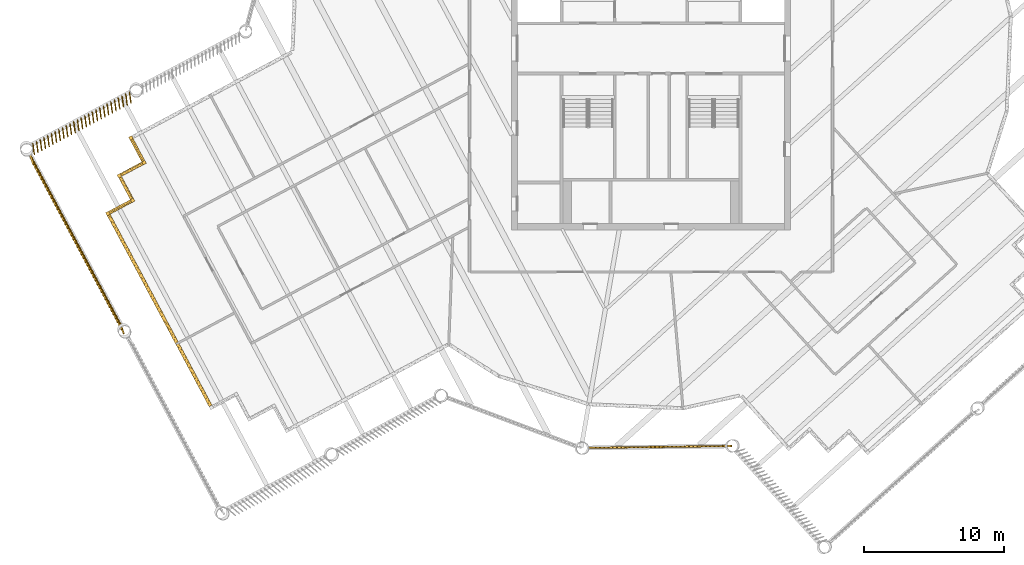
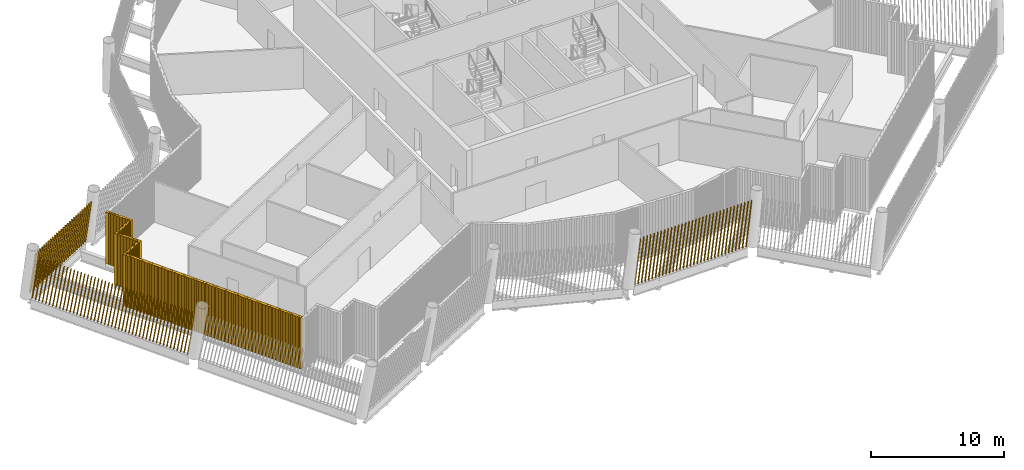
# One storey, part 10 of 21: 13 shading devices.
"""IFC4 building model written with IfcOpenShell, lengths in metres."""

import ifcopenshell
import ifcopenshell.guid

model = None  # the IFC model being written
_history = None  # IfcOwnerHistory: only IFC2X3 demands one
_inside = {}  # id of a spatial element -> (the spatial element, [elements in it])
_under = {}  # id of a project, library or spatial element -> (it, [spatial elements below it])
_declared = {}  # id of a project -> (the project, [libraries it declares])
_typed = {}  # id of a type object -> (the type object, [elements of that type])
_made_of = {}  # id of a material, layer set ... -> (it, [elements and type objects made of it])


def new_model(schema):
    """Start an empty IFC model of exactly this schema.

    Asked for "IFC4X3", IfcOpenShell would pick the latest addendum, in which some entities
    have other attributes; the version numbers below select the first issue.
    IFC2X3 requires an IfcOwnerHistory on every rooted entity: one is made here for all.
    """
    global model, _history
    if schema == "IFC4X3":
        model = ifcopenshell.file(schema_version=(4, 3, 0, 0))
    else:
        model = ifcopenshell.file(schema=schema)
    _inside.clear()
    _under.clear()
    _declared.clear()
    _typed.clear()
    _made_of.clear()
    _history = None
    if model.schema == "IFC2X3":
        org = make("IfcOrganization", Name="unknown")
        user = make(
            "IfcPersonAndOrganization",
            ThePerson=make("IfcPerson", FamilyName="unknown"),
            TheOrganization=org,
        )
        app = make(
            "IfcApplication",
            ApplicationDeveloper=org,
            Version="unknown",
            ApplicationFullName="unknown",
            ApplicationIdentifier="unknown",
        )
        _history = make(
            "IfcOwnerHistory",
            OwningUser=user,
            OwningApplication=app,
            ChangeAction="ADDED",
            CreationDate=0,
        )
    return model


def make(cls, **values):
    """One entity of the class cls with the attributes given. An attribute that is None is left unset."""
    return model.create_entity(
        cls, **{name: value for name, value in values.items() if value is not None}
    )


def rooted(cls, **values):
    """An entity with a GlobalId (a new one), such as an element, a storey or a relation."""
    return make(cls, GlobalId=ifcopenshell.guid.new(), OwnerHistory=_history, **values)


def si_unit(unit_type, name, prefix=None):
    """IfcSIUnit, for example si_unit("LENGTHUNIT", "METRE", prefix="MILLI")."""
    return make("IfcSIUnit", UnitType=unit_type, Prefix=prefix, Name=name)


def assignment(units):
    """IfcUnitAssignment: the units of a project."""
    return None if units is None else make("IfcUnitAssignment", Units=units)


def point(xyz):
    """IfcCartesianPoint."""
    return None if xyz is None else make("IfcCartesianPoint", Coordinates=xyz)


def direction(xyz):
    """IfcDirection."""
    return None if xyz is None else make("IfcDirection", DirectionRatios=xyz)


def frame(location, z_axis=None, x_axis=None):
    """IfcAxis2Placement3D, a coordinate frame: its origin and axes. An axis left out is left unset."""
    return make(
        "IfcAxis2Placement3D",
        Location=point(location),
        Axis=direction(z_axis),
        RefDirection=direction(x_axis),
    )


def frame_2d(location, x_axis=None):
    """IfcAxis2Placement2D, a coordinate frame in the plane: its origin and x axis."""
    return make(
        "IfcAxis2Placement2D", Location=point(location), RefDirection=direction(x_axis)
    )


def origin():
    """The frame at (0, 0, 0) with its axes left unset."""
    return frame((0.0, 0.0, 0.0))


def origin_2d():
    """The frame at (0, 0) in the plane with its x axis left unset."""
    return frame_2d((0.0, 0.0))


def place(relative_to, where):
    """IfcLocalPlacement: puts the frame where relative to a parent placement (None: the world)."""
    return make(
        "IfcLocalPlacement", PlacementRelTo=relative_to, RelativePlacement=where
    )


def context(
    kind, dimensions, precision=None, world=None, true_north=None, identifier=None
):
    """IfcGeometricRepresentationContext, for example the 3D "Model" context."""
    return make(
        "IfcGeometricRepresentationContext",
        ContextIdentifier=identifier,
        ContextType=kind,
        CoordinateSpaceDimension=dimensions,
        Precision=precision,
        WorldCoordinateSystem=world,
        TrueNorth=true_north,
    )


def subcontext(parent, identifier, kind, view, scale=None):
    """IfcGeometricRepresentationSubContext, for example "Body" below "Model"."""
    return make(
        "IfcGeometricRepresentationSubContext",
        ContextIdentifier=identifier,
        ContextType=kind,
        ParentContext=parent,
        TargetScale=scale,
        TargetView=view,
    )


def project(units=None, contexts=None):
    """IfcProject with its units and contexts."""
    return rooted(
        "IfcProject",
        Name="project",
        RepresentationContexts=contexts,
        UnitsInContext=assignment(units),
    )


def spatial(cls, under=None, at=None, **own):
    """A site, building, storey or space (cls), placed at a placement, below another one or the project."""
    s = rooted(cls, ObjectPlacement=at, **own)
    if under is not None:
        _under.setdefault(under.id(), (under, []))[1].append(s)
    return s


def profile(cls, at=None, kind="AREA", **sizes):
    """A parametric profile (cls). Its sizes go by their IFC names, for example OverallWidth=200.0."""
    return make(cls, ProfileType=kind, Position=at, **sizes)


def rectangle(**sizes):
    """IfcRectangleProfileDef."""
    return profile("IfcRectangleProfileDef", **sizes)


def composite_profile(profiles, kind="AREA"):
    """IfcCompositeProfileDef: several profiles as one."""
    return make("IfcCompositeProfileDef", ProfileType=kind, Profiles=profiles)


def extrude(swept, where, along, depth):
    """IfcExtrudedAreaSolid: the profile swept, set in the frame where, extruded along a direction by depth."""
    return make(
        "IfcExtrudedAreaSolid",
        SweptArea=swept,
        Position=where,
        ExtrudedDirection=direction(along),
        Depth=depth,
    )


def shape(context_of_items, identifier, shape_type, items):
    """IfcShapeRepresentation: the items that make up one representation, for example the "Body"."""
    return make(
        "IfcShapeRepresentation",
        ContextOfItems=context_of_items,
        RepresentationIdentifier=identifier,
        RepresentationType=shape_type,
        Items=items,
    )


def material(Name=None, Category=None):
    """IfcMaterial."""
    return make("IfcMaterial", Name=Name, Category=Category)


def made_of(thing, what):
    """Note that an element or type object is made of a material, layer set ...; save() writes the relation."""
    if what is not None:
        _made_of.setdefault(what.id(), (what, []))[1].append(thing)
    return thing


def type_object(cls, material=None, **own):
    """A type object (cls), such as IfcWallType, which elements share."""
    return made_of(rooted(cls, **own), material)


def element(
    cls,
    number,
    at=None,
    inside=None,
    cuts=None,
    type_object=None,
    material=None,
    context=None,
    identifier="Body",
    shape_type=None,
    held_by="IfcProductDefinitionShape",
    body=None,
    shapes=None,
    **own,
):
    """One element of the class cls, such as IfcWall. Its Tag is "e" and its number.

    at: its placement. inside: the storey or other place that contains it. cuts: it is an
    opening in that element (IfcRelVoidsElement). A single representation is given by context,
    identifier, shape_type and body (its items); several are given by shapes. held_by: the class
    of the entity that holds the representations. save() writes the other relations.
    """
    e = rooted(cls, Tag="e%d" % number, ObjectPlacement=at, **own)
    if body is not None:
        shapes = [shape(context, identifier, shape_type, body)]
    if shapes is not None:
        e.Representation = make(held_by, Representations=shapes)
    if inside is not None:
        _inside.setdefault(inside.id(), (inside, []))[1].append(e)
    if cuts is not None:
        rooted(
            "IfcRelVoidsElement", RelatingBuildingElement=cuts, RelatedOpeningElement=e
        )
    if type_object is not None:
        _typed.setdefault(type_object.id(), (type_object, []))[1].append(e)
    return made_of(e, material)


def aggregate(whole, parts):
    """IfcRelAggregates: a whole, such as a stair, and the parts it consists of."""
    return rooted("IfcRelAggregates", RelatingObject=whole, RelatedObjects=parts)


def save(model, path):
    """Write the relations noted so far, then the file.

    IfcRelAggregates (storeys below a building ...), IfcRelContainedInSpatialStructure (elements
    in a storey), IfcRelDefinesByType, IfcRelAssociatesMaterial and IfcRelDeclares: one each for
    every whole, place, type object, material and project.
    """
    for whole, parts in _under.values():
        aggregate(whole, parts)
    for where, things in _inside.values():
        rooted(
            "IfcRelContainedInSpatialStructure",
            RelatedElements=things,
            RelatingStructure=where,
        )
    for kind, things in _typed.values():
        rooted("IfcRelDefinesByType", RelatedObjects=things, RelatingType=kind)
    for what, things in _made_of.values():
        rooted("IfcRelAssociatesMaterial", RelatedObjects=things, RelatingMaterial=what)
    for by, libraries in _declared.values():
        rooted("IfcRelDeclares", RelatingContext=by, RelatedDefinitions=libraries)
    model.write(path)


model = new_model("IFC4")

# Units and contexts
model_context = context("Model", 3, precision=1e-05, world=origin(), true_north=direction((0.0, 1.0)))
body_context = subcontext(model_context, "Body", "Model", "MODEL_VIEW")
ifc_project = project(units=[si_unit("LENGTHUNIT", "METRE"), si_unit("AREAUNIT", "SQUARE_METRE"), si_unit("VOLUMEUNIT", "CUBIC_METRE"), si_unit("PLANEANGLEUNIT", "RADIAN"), si_unit("MASSUNIT", "GRAM", prefix="KILO")], contexts=[model_context])

# Site, building, storey
site_placement = place(None, origin())
site = spatial("IfcSite", under=ifc_project, at=site_placement, CompositionType="ELEMENT")
building_placement = place(site_placement, origin())
building = spatial("IfcBuilding", under=site, at=building_placement, Name="Tarsis Ring Headquarters", CompositionType="ELEMENT")
storey_placement = place(building_placement, frame((0.0, 0.0, 398.60009765625)))
storey = spatial("IfcBuildingStorey", under=building, at=storey_placement, Name="L94", CompositionType="ELEMENT", Elevation=398.60009765625)

# Shading devices
ifc_material_1 = material(Name="Aluminium louvre", Category="aluminium")
shading_device_type_1 = type_object("IfcShadingDeviceType", Name="Plant louvre fin", PredefinedType="USERDEFINED", material=ifc_material_1)
for number, where, z_axis, x_axis, name in (
    (1, (-37.182861328125, -6.51953125, 0.0), (0.0, 0.0, 1.0), (0.470703125, -0.882254464286, 0.0), "Louvre L94-32"),
    (2, (-36.41064453125, -8.232666015625, 0.0), (0.0, 0.0, 1.0), (-0.882254464286, -0.470703125, 0.0), "Louvre L94-33"),
    (3, (-38.006103515625, -9.2255859375, 0.0), (0.0, 0.0, 1.0), (0.470703125, -0.882254464286, 0.0), "Louvre L94-34"),
    (4, (-37.23388671875, -10.938720703125, 0.0), (0.0, 0.0, 1.0), (-0.882254464286, -0.470703125, 0.0), "Louvre L94-35"),
):
    element("IfcShadingDevice", number, at=place(storey_placement, frame(where, z_axis=z_axis, x_axis=x_axis)), inside=storey, type_object=shading_device_type_1, Name=name, ObjectType="Louvre", PredefinedType="USERDEFINED", context=body_context, shape_type="SweptSolid", body=[
        extrude(composite_profile([rectangle(XDim=0.1201171875, YDim=0.239990234375, at=frame_2d((0.078125, 0.0), x_axis=(0.987688340595, 0.15643446504))), rectangle(XDim=0.1201171875, YDim=0.239990234375, at=frame_2d((0.2109375, 0.0), x_axis=(0.987688340595, 0.15643446504))), rectangle(XDim=0.1201171875, YDim=0.239990234375, at=frame_2d((0.34375, 0.0), x_axis=(0.987688340595, 0.15643446504))), rectangle(XDim=0.1201171875, YDim=0.239990234375, at=frame_2d((0.4765625, 0.0), x_axis=(0.987688340595, 0.15643446504))), rectangle(XDim=0.1201171875, YDim=0.239990234375, at=frame_2d((0.609375, 0.0), x_axis=(0.987688340595, 0.15643446504))), rectangle(XDim=0.1201171875, YDim=0.239990234375, at=frame_2d((0.7421875, 0.0), x_axis=(0.987688340595, 0.15643446504))), rectangle(XDim=0.1201171875, YDim=0.239990234375, at=frame_2d((0.875, 0.0), x_axis=(0.987688340595, 0.15643446504))), rectangle(XDim=0.1201171875, YDim=0.239990234375, at=frame_2d((1.0078125, 0.0), x_axis=(0.987688340595, 0.15643446504))), rectangle(XDim=0.1201171875, YDim=0.239990234375, at=frame_2d((1.140625, 0.0), x_axis=(0.987688340595, 0.15643446504))), rectangle(XDim=0.1201171875, YDim=0.239990234375, at=frame_2d((1.2734375, 0.0), x_axis=(0.987688340595, 0.15643446504))), rectangle(XDim=0.1201171875, YDim=0.239990234375, at=frame_2d((1.40625, 0.0), x_axis=(0.987688340595, 0.15643446504))), rectangle(XDim=0.1201171875, YDim=0.239990234375, at=frame_2d((1.5390625, 0.0), x_axis=(0.987688340595, 0.15643446504))), rectangle(XDim=0.1201171875, YDim=0.239990234375, at=frame_2d((1.671875, 0.0), x_axis=(0.987688340595, 0.15643446504)))]), origin(), (0.0, 0.0, 1.0), 4.699951171875),
    ])
shading_device_1_placement = place(storey_placement, frame((-38.829345703125, -11.931640625, 0.0), z_axis=(0.0, 0.0, 1.0), x_axis=(0.470703125, -0.882292716734, 0.0)))
element("IfcShadingDevice", 5, at=shading_device_1_placement, inside=storey, type_object=shading_device_type_1, Name="Louvre L94-36", ObjectType="Louvre", PredefinedType="USERDEFINED", context=body_context, shape_type="SweptSolid", body=[
    extrude(composite_profile([rectangle(XDim=0.1201171875, YDim=0.239990234375, at=frame_2d((0.076171875, 0.0), x_axis=(0.990268068742, 0.13917310096))), rectangle(XDim=0.1201171875, YDim=0.239990234375, at=frame_2d((0.201904296875, 0.0), x_axis=(0.990268068742, 0.13917310096))), rectangle(XDim=0.1201171875, YDim=0.239990234375, at=frame_2d((0.327880859375, 0.0), x_axis=(0.990268068742, 0.13917310096))), rectangle(XDim=0.1201171875, YDim=0.239990234375, at=frame_2d((0.45361328125, 0.0), x_axis=(0.990268068742, 0.13917310096))), rectangle(XDim=0.1201171875, YDim=0.239990234375, at=frame_2d((0.579345703125, 0.0), x_axis=(0.990268068742, 0.13917310096))), rectangle(XDim=0.1201171875, YDim=0.239990234375, at=frame_2d((0.705078125, 0.0), x_axis=(0.990268068742, 0.13917310096))), rectangle(XDim=0.1201171875, YDim=0.239990234375, at=frame_2d((0.8310546875, 0.0), x_axis=(0.990268068742, 0.13917310096))), rectangle(XDim=0.1201171875, YDim=0.239990234375, at=frame_2d((0.956787109375, 0.0), x_axis=(0.990268068742, 0.13917310096))), rectangle(XDim=0.1201171875, YDim=0.239990234375, at=frame_2d((1.08251953125, 0.0), x_axis=(0.990268068742, 0.13917310096))), rectangle(XDim=0.1201171875, YDim=0.239990234375, at=frame_2d((1.208251953125, 0.0), x_axis=(0.990268068742, 0.13917310096))), rectangle(XDim=0.1201171875, YDim=0.239990234375, at=frame_2d((1.334228515625, 0.0), x_axis=(0.990268068742, 0.13917310096))), rectangle(XDim=0.1201171875, YDim=0.239990234375, at=frame_2d((1.4599609375, 0.0), x_axis=(0.990268068742, 0.13917310096))), rectangle(XDim=0.1201171875, YDim=0.239990234375, at=frame_2d((1.585693359375, 0.0), x_axis=(0.990268068742, 0.13917310096))), rectangle(XDim=0.1201171875, YDim=0.239990234375, at=frame_2d((1.711669921875, 0.0), x_axis=(0.990268068742, 0.13917310096))), rectangle(XDim=0.1201171875, YDim=0.239990234375, at=frame_2d((1.83740234375, 0.0), x_axis=(0.990268068742, 0.13917310096))), rectangle(XDim=0.1201171875, YDim=0.239990234375, at=frame_2d((1.963134765625, 0.0), x_axis=(0.990268068742, 0.13917310096))), rectangle(XDim=0.1201171875, YDim=0.239990234375, at=frame_2d((2.0888671875, 0.0), x_axis=(0.990268068742, 0.13917310096))), rectangle(XDim=0.1201171875, YDim=0.239990234375, at=frame_2d((2.21484375, 0.0), x_axis=(0.990268068742, 0.13917310096))), rectangle(XDim=0.1201171875, YDim=0.239990234375, at=frame_2d((2.340576171875, 0.0), x_axis=(0.990268068742, 0.13917310096))), rectangle(XDim=0.1201171875, YDim=0.239990234375, at=frame_2d((2.46630859375, 0.0), x_axis=(0.990268068742, 0.13917310096))), rectangle(XDim=0.1201171875, YDim=0.239990234375, at=frame_2d((2.592041015625, 0.0), x_axis=(0.990268068742, 0.13917310096))), rectangle(XDim=0.1201171875, YDim=0.239990234375, at=frame_2d((2.718017578125, 0.0), x_axis=(0.990268068742, 0.13917310096))), rectangle(XDim=0.1201171875, YDim=0.239990234375, at=frame_2d((2.84375, 0.0), x_axis=(0.990268068742, 0.13917310096))), rectangle(XDim=0.1201171875, YDim=0.239990234375, at=frame_2d((2.969482421875, 0.0), x_axis=(0.990268068742, 0.13917310096))), rectangle(XDim=0.1201171875, YDim=0.239990234375, at=frame_2d((3.09521484375, 0.0), x_axis=(0.990268068742, 0.13917310096))), rectangle(XDim=0.1201171875, YDim=0.239990234375, at=frame_2d((3.22119140625, 0.0), x_axis=(0.990268068742, 0.13917310096))), rectangle(XDim=0.1201171875, YDim=0.239990234375, at=frame_2d((3.346923828125, 0.0), x_axis=(0.990268068742, 0.13917310096))), rectangle(XDim=0.1201171875, YDim=0.239990234375, at=frame_2d((3.47265625, 0.0), x_axis=(0.990268068742, 0.13917310096))), rectangle(XDim=0.1201171875, YDim=0.239990234375, at=frame_2d((3.5986328125, 0.0), x_axis=(0.990268068742, 0.13917310096))), rectangle(XDim=0.1201171875, YDim=0.239990234375, at=frame_2d((3.724365234375, 0.0), x_axis=(0.990268068742, 0.13917310096))), rectangle(XDim=0.1201171875, YDim=0.239990234375, at=frame_2d((3.85009765625, 0.0), x_axis=(0.990268068742, 0.13917310096))), rectangle(XDim=0.1201171875, YDim=0.239990234375, at=frame_2d((3.975830078125, 0.0), x_axis=(0.990268068742, 0.13917310096))), rectangle(XDim=0.1201171875, YDim=0.239990234375, at=frame_2d((4.101806640625, 0.0), x_axis=(0.990268068742, 0.13917310096))), rectangle(XDim=0.1201171875, YDim=0.239990234375, at=frame_2d((4.2275390625, 0.0), x_axis=(0.990268068742, 0.13917310096))), rectangle(XDim=0.1201171875, YDim=0.239990234375, at=frame_2d((4.353271484375, 0.0), x_axis=(0.990268068742, 0.13917310096))), rectangle(XDim=0.1201171875, YDim=0.239990234375, at=frame_2d((4.47900390625, 0.0), x_axis=(0.990268068742, 0.13917310096))), rectangle(XDim=0.1201171875, YDim=0.239990234375, at=frame_2d((4.60498046875, 0.0), x_axis=(0.990268068742, 0.13917310096))), rectangle(XDim=0.1201171875, YDim=0.239990234375, at=frame_2d((4.730712890625, 0.0), x_axis=(0.990268068742, 0.13917310096))), rectangle(XDim=0.1201171875, YDim=0.239990234375, at=frame_2d((4.8564453125, 0.0), x_axis=(0.990268068742, 0.13917310096))), rectangle(XDim=0.1201171875, YDim=0.239990234375, at=frame_2d((4.982421875, 0.0), x_axis=(0.990268068742, 0.13917310096))), rectangle(XDim=0.1201171875, YDim=0.239990234375, at=frame_2d((5.108154296875, 0.0), x_axis=(0.990268068742, 0.13917310096))), rectangle(XDim=0.1201171875, YDim=0.239990234375, at=frame_2d((5.23388671875, 0.0), x_axis=(0.990268068742, 0.13917310096))), rectangle(XDim=0.1201171875, YDim=0.239990234375, at=frame_2d((5.359619140625, 0.0), x_axis=(0.990268068742, 0.13917310096))), rectangle(XDim=0.1201171875, YDim=0.239990234375, at=frame_2d((5.485595703125, 0.0), x_axis=(0.990268068742, 0.13917310096))), rectangle(XDim=0.1201171875, YDim=0.239990234375, at=frame_2d((5.611328125, 0.0), x_axis=(0.990268068742, 0.13917310096))), rectangle(XDim=0.1201171875, YDim=0.239990234375, at=frame_2d((5.737060546875, 0.0), x_axis=(0.990268068742, 0.13917310096))), rectangle(XDim=0.1201171875, YDim=0.239990234375, at=frame_2d((5.86279296875, 0.0), x_axis=(0.990268068742, 0.13917310096))), rectangle(XDim=0.1201171875, YDim=0.239990234375, at=frame_2d((5.98876953125, 0.0), x_axis=(0.990268068742, 0.13917310096))), rectangle(XDim=0.1201171875, YDim=0.239990234375, at=frame_2d((6.114501953125, 0.0), x_axis=(0.990268068742, 0.13917310096))), rectangle(XDim=0.1201171875, YDim=0.239990234375, at=frame_2d((6.240234375, 0.0), x_axis=(0.990268068742, 0.13917310096))), rectangle(XDim=0.1201171875, YDim=0.239990234375, at=frame_2d((6.3662109375, 0.0), x_axis=(0.990268068742, 0.13917310096))), rectangle(XDim=0.1201171875, YDim=0.239990234375, at=frame_2d((6.491943359375, 0.0), x_axis=(0.990268068742, 0.13917310096))), rectangle(XDim=0.1201171875, YDim=0.239990234375, at=frame_2d((6.61767578125, 0.0), x_axis=(0.990268068742, 0.13917310096))), rectangle(XDim=0.1201171875, YDim=0.239990234375, at=frame_2d((6.743408203125, 0.0), x_axis=(0.990268068742, 0.13917310096))), rectangle(XDim=0.1201171875, YDim=0.239990234375, at=frame_2d((6.869384765625, 0.0), x_axis=(0.990268068742, 0.13917310096))), rectangle(XDim=0.1201171875, YDim=0.239990234375, at=frame_2d((6.9951171875, 0.0), x_axis=(0.990268068742, 0.13917310096))), rectangle(XDim=0.1201171875, YDim=0.239990234375, at=frame_2d((7.120849609375, 0.0), x_axis=(0.990268068742, 0.13917310096))), rectangle(XDim=0.1201171875, YDim=0.239990234375, at=frame_2d((7.24658203125, 0.0), x_axis=(0.990268068742, 0.13917310096))), rectangle(XDim=0.1201171875, YDim=0.239990234375, at=frame_2d((7.37255859375, 0.0), x_axis=(0.990268068742, 0.13917310096))), rectangle(XDim=0.1201171875, YDim=0.239990234375, at=frame_2d((7.498291015625, 0.0), x_axis=(0.990268068742, 0.13917310096))), rectangle(XDim=0.1201171875, YDim=0.239990234375, at=frame_2d((7.6240234375, 0.0), x_axis=(0.990268068742, 0.13917310096))), rectangle(XDim=0.1201171875, YDim=0.239990234375, at=frame_2d((7.75, 0.0), x_axis=(0.990268068742, 0.13917310096))), rectangle(XDim=0.1201171875, YDim=0.239990234375, at=frame_2d((7.875732421875, 0.0), x_axis=(0.990268068742, 0.13917310096))), rectangle(XDim=0.1201171875, YDim=0.239990234375, at=frame_2d((8.00146484375, 0.0), x_axis=(0.990268068742, 0.13917310096))), rectangle(XDim=0.1201171875, YDim=0.239990234375, at=frame_2d((8.127197265625, 0.0), x_axis=(0.990268068742, 0.13917310096))), rectangle(XDim=0.1201171875, YDim=0.239990234375, at=frame_2d((8.253173828125, 0.0), x_axis=(0.990268068742, 0.13917310096))), rectangle(XDim=0.1201171875, YDim=0.239990234375, at=frame_2d((8.37890625, 0.0), x_axis=(0.990268068742, 0.13917310096))), rectangle(XDim=0.1201171875, YDim=0.239990234375, at=frame_2d((8.504638671875, 0.0), x_axis=(0.990268068742, 0.13917310096))), rectangle(XDim=0.1201171875, YDim=0.239990234375, at=frame_2d((8.63037109375, 0.0), x_axis=(0.990268068742, 0.13917310096))), rectangle(XDim=0.1201171875, YDim=0.239990234375, at=frame_2d((8.75634765625, 0.0), x_axis=(0.990268068742, 0.13917310096))), rectangle(XDim=0.1201171875, YDim=0.239990234375, at=frame_2d((8.882080078125, 0.0), x_axis=(0.990268068742, 0.13917310096))), rectangle(XDim=0.1201171875, YDim=0.239990234375, at=frame_2d((9.0078125, 0.0), x_axis=(0.990268068742, 0.13917310096))), rectangle(XDim=0.1201171875, YDim=0.239990234375, at=frame_2d((9.133544921875, 0.0), x_axis=(0.990268068742, 0.13917310096))), rectangle(XDim=0.1201171875, YDim=0.239990234375, at=frame_2d((9.259521484375, 0.0), x_axis=(0.990268068742, 0.13917310096))), rectangle(XDim=0.1201171875, YDim=0.239990234375, at=frame_2d((9.38525390625, 0.0), x_axis=(0.990268068742, 0.13917310096))), rectangle(XDim=0.1201171875, YDim=0.239990234375, at=frame_2d((9.510986328125, 0.0), x_axis=(0.990268068742, 0.13917310096))), rectangle(XDim=0.1201171875, YDim=0.239990234375, at=frame_2d((9.636962890625, 0.0), x_axis=(0.990268068742, 0.13917310096))), rectangle(XDim=0.1201171875, YDim=0.239990234375, at=frame_2d((9.7626953125, 0.0), x_axis=(0.990268068742, 0.13917310096))), rectangle(XDim=0.1201171875, YDim=0.239990234375, at=frame_2d((9.888427734375, 0.0), x_axis=(0.990268068742, 0.13917310096))), rectangle(XDim=0.1201171875, YDim=0.239990234375, at=frame_2d((10.01416015625, 0.0), x_axis=(0.990268068742, 0.13917310096))), rectangle(XDim=0.1201171875, YDim=0.239990234375, at=frame_2d((10.14013671875, 0.0), x_axis=(0.990268068742, 0.13917310096))), rectangle(XDim=0.1201171875, YDim=0.239990234375, at=frame_2d((10.265869140625, 0.0), x_axis=(0.990268068742, 0.13917310096))), rectangle(XDim=0.1201171875, YDim=0.239990234375, at=frame_2d((10.3916015625, 0.0), x_axis=(0.990268068742, 0.13917310096))), rectangle(XDim=0.1201171875, YDim=0.239990234375, at=frame_2d((10.517333984375, 0.0), x_axis=(0.990268068742, 0.13917310096))), rectangle(XDim=0.1201171875, YDim=0.239990234375, at=frame_2d((10.643310546875, 0.0), x_axis=(0.990268068742, 0.13917310096))), rectangle(XDim=0.1201171875, YDim=0.239990234375, at=frame_2d((10.76904296875, 0.0), x_axis=(0.990268068742, 0.13917310096))), rectangle(XDim=0.1201171875, YDim=0.239990234375, at=frame_2d((10.894775390625, 0.0), x_axis=(0.990268068742, 0.13917310096))), rectangle(XDim=0.1201171875, YDim=0.239990234375, at=frame_2d((11.020751953125, 0.0), x_axis=(0.990268068742, 0.13917310096))), rectangle(XDim=0.1201171875, YDim=0.239990234375, at=frame_2d((11.146484375, 0.0), x_axis=(0.990268068742, 0.13917310096))), rectangle(XDim=0.1201171875, YDim=0.239990234375, at=frame_2d((11.272216796875, 0.0), x_axis=(0.990268068742, 0.13917310096))), rectangle(XDim=0.1201171875, YDim=0.239990234375, at=frame_2d((11.39794921875, 0.0), x_axis=(0.990268068742, 0.13917310096))), rectangle(XDim=0.1201171875, YDim=0.239990234375, at=frame_2d((11.52392578125, 0.0), x_axis=(0.990268068742, 0.13917310096))), rectangle(XDim=0.1201171875, YDim=0.239990234375, at=frame_2d((11.649658203125, 0.0), x_axis=(0.990268068742, 0.13917310096))), rectangle(XDim=0.1201171875, YDim=0.239990234375, at=frame_2d((11.775390625, 0.0), x_axis=(0.990268068742, 0.13917310096))), rectangle(XDim=0.1201171875, YDim=0.239990234375, at=frame_2d((11.901123046875, 0.0), x_axis=(0.990268068742, 0.13917310096))), rectangle(XDim=0.1201171875, YDim=0.239990234375, at=frame_2d((12.027099609375, 0.0), x_axis=(0.990268068742, 0.13917310096))), rectangle(XDim=0.1201171875, YDim=0.239990234375, at=frame_2d((12.15283203125, 0.0), x_axis=(0.990268068742, 0.13917310096))), rectangle(XDim=0.1201171875, YDim=0.239990234375, at=frame_2d((12.278564453125, 0.0), x_axis=(0.990268068742, 0.13917310096))), rectangle(XDim=0.1201171875, YDim=0.239990234375, at=frame_2d((12.404541015625, 0.0), x_axis=(0.990268068742, 0.13917310096))), rectangle(XDim=0.1201171875, YDim=0.239990234375, at=frame_2d((12.5302734375, 0.0), x_axis=(0.990268068742, 0.13917310096))), rectangle(XDim=0.1201171875, YDim=0.239990234375, at=frame_2d((12.656005859375, 0.0), x_axis=(0.990268068742, 0.13917310096))), rectangle(XDim=0.1201171875, YDim=0.239990234375, at=frame_2d((12.78173828125, 0.0), x_axis=(0.990268068742, 0.13917310096))), rectangle(XDim=0.1201171875, YDim=0.239990234375, at=frame_2d((12.90771484375, 0.0), x_axis=(0.990268068742, 0.13917310096))), rectangle(XDim=0.1201171875, YDim=0.239990234375, at=frame_2d((13.033447265625, 0.0), x_axis=(0.990268068742, 0.13917310096))), rectangle(XDim=0.1201171875, YDim=0.239990234375, at=frame_2d((13.1591796875, 0.0), x_axis=(0.990268068742, 0.13917310096))), rectangle(XDim=0.1201171875, YDim=0.239990234375, at=frame_2d((13.284912109375, 0.0), x_axis=(0.990268068742, 0.13917310096))), rectangle(XDim=0.1201171875, YDim=0.239990234375, at=frame_2d((13.410888671875, 0.0), x_axis=(0.990268068742, 0.13917310096))), rectangle(XDim=0.1201171875, YDim=0.239990234375, at=frame_2d((13.53662109375, 0.0), x_axis=(0.990268068742, 0.13917310096))), rectangle(XDim=0.1201171875, YDim=0.239990234375, at=frame_2d((13.662353515625, 0.0), x_axis=(0.990268068742, 0.13917310096))), rectangle(XDim=0.1201171875, YDim=0.239990234375, at=frame_2d((13.7880859375, 0.0), x_axis=(0.990268068742, 0.13917310096))), rectangle(XDim=0.1201171875, YDim=0.239990234375, at=frame_2d((13.9140625, 0.0), x_axis=(0.990268068742, 0.13917310096))), rectangle(XDim=0.1201171875, YDim=0.239990234375, at=frame_2d((14.039794921875, 0.0), x_axis=(0.990268068742, 0.13917310096))), rectangle(XDim=0.1201171875, YDim=0.239990234375, at=frame_2d((14.16552734375, 0.0), x_axis=(0.990268068742, 0.13917310096))), rectangle(XDim=0.1201171875, YDim=0.239990234375, at=frame_2d((14.29150390625, 0.0), x_axis=(0.990268068742, 0.13917310096))), rectangle(XDim=0.1201171875, YDim=0.239990234375, at=frame_2d((14.417236328125, 0.0), x_axis=(0.990268068742, 0.13917310096))), rectangle(XDim=0.1201171875, YDim=0.239990234375, at=frame_2d((14.54296875, 0.0), x_axis=(0.990268068742, 0.13917310096))), rectangle(XDim=0.1201171875, YDim=0.239990234375, at=frame_2d((14.668701171875, 0.0), x_axis=(0.990268068742, 0.13917310096))), rectangle(XDim=0.1201171875, YDim=0.239990234375, at=frame_2d((14.794677734375, 0.0), x_axis=(0.990268068742, 0.13917310096))), rectangle(XDim=0.1201171875, YDim=0.239990234375, at=frame_2d((14.92041015625, 0.0), x_axis=(0.990268068742, 0.13917310096))), rectangle(XDim=0.1201171875, YDim=0.239990234375, at=frame_2d((15.046142578125, 0.0), x_axis=(0.990268068742, 0.13917310096))), rectangle(XDim=0.1201171875, YDim=0.239990234375, at=frame_2d((15.171875, 0.0), x_axis=(0.990268068742, 0.13917310096))), rectangle(XDim=0.1201171875, YDim=0.239990234375, at=frame_2d((15.2978515625, 0.0), x_axis=(0.990268068742, 0.13917310096))), rectangle(XDim=0.1201171875, YDim=0.239990234375, at=frame_2d((15.423583984375, 0.0), x_axis=(0.990268068742, 0.13917310096)))]), origin(), (0.0, 0.0, 1.0), 4.699951171875),
])
ifc_material_2 = material(Name="Terracotta baguette", Category="masonry")
shading_device_type_2 = type_object("IfcShadingDeviceType", Name="Terracotta baguette screen", PredefinedType="USERDEFINED", material=ifc_material_2)
shading_device_2_placement = place(storey_placement, frame((-4.50439453125, -28.607421875, 0.0), z_axis=(0.0, 0.0, 1.0), x_axis=(0.999900064958, 0.013341328137, 0.0)))
element("IfcShadingDevice", 6, at=shading_device_2_placement, inside=storey, type_object=shading_device_type_2, Name="Baguette screen L94-00", ObjectType="Terracotta baguette screen", PredefinedType="USERDEFINED", context=body_context, shape_type="SweptSolid", body=[
    extrude(composite_profile([rectangle(XDim=0.06005859375, YDim=0.1201171875, at=frame_2d((0.030029296875, 0.0))), rectangle(XDim=0.06005859375, YDim=0.1201171875, at=frame_2d((0.33349609375, 0.0))), rectangle(XDim=0.06005859375, YDim=0.1201171875, at=frame_2d((0.636962890625, 0.0))), rectangle(XDim=0.06005859375, YDim=0.1201171875, at=frame_2d((0.9404296875, 0.0))), rectangle(XDim=0.06005859375, YDim=0.1201171875, at=frame_2d((1.243896484375, 0.0))), rectangle(XDim=0.06005859375, YDim=0.1201171875, at=frame_2d((1.54736328125, 0.0))), rectangle(XDim=0.06005859375, YDim=0.1201171875, at=frame_2d((1.85107421875, 0.0))), rectangle(XDim=0.06005859375, YDim=0.1201171875, at=frame_2d((2.154541015625, 0.0))), rectangle(XDim=0.06005859375, YDim=0.1201171875, at=frame_2d((2.4580078125, 0.0))), rectangle(XDim=0.06005859375, YDim=0.1201171875, at=frame_2d((2.761474609375, 0.0))), rectangle(XDim=0.06005859375, YDim=0.1201171875, at=frame_2d((3.06494140625, 0.0))), rectangle(XDim=0.06005859375, YDim=0.1201171875, at=frame_2d((3.368408203125, 0.0))), rectangle(XDim=0.06005859375, YDim=0.1201171875, at=frame_2d((3.671875, 0.0))), rectangle(XDim=0.06005859375, YDim=0.1201171875, at=frame_2d((3.975341796875, 0.0))), rectangle(XDim=0.06005859375, YDim=0.1201171875, at=frame_2d((4.27880859375, 0.0))), rectangle(XDim=0.06005859375, YDim=0.1201171875, at=frame_2d((4.582275390625, 0.0))), rectangle(XDim=0.06005859375, YDim=0.1201171875, at=frame_2d((4.8857421875, 0.0))), rectangle(XDim=0.06005859375, YDim=0.1201171875, at=frame_2d((5.189453125, 0.0))), rectangle(XDim=0.06005859375, YDim=0.1201171875, at=frame_2d((5.492919921875, 0.0))), rectangle(XDim=0.06005859375, YDim=0.1201171875, at=frame_2d((5.79638671875, 0.0))), rectangle(XDim=0.06005859375, YDim=0.1201171875, at=frame_2d((6.099853515625, 0.0))), rectangle(XDim=0.06005859375, YDim=0.1201171875, at=frame_2d((6.4033203125, 0.0))), rectangle(XDim=0.06005859375, YDim=0.1201171875, at=frame_2d((6.706787109375, 0.0))), rectangle(XDim=0.06005859375, YDim=0.1201171875, at=frame_2d((7.01025390625, 0.0))), rectangle(XDim=0.06005859375, YDim=0.1201171875, at=frame_2d((7.313720703125, 0.0))), rectangle(XDim=0.06005859375, YDim=0.1201171875, at=frame_2d((7.6171875, 0.0))), rectangle(XDim=0.06005859375, YDim=0.1201171875, at=frame_2d((7.920654296875, 0.0))), rectangle(XDim=0.06005859375, YDim=0.1201171875, at=frame_2d((8.224365234375, 0.0))), rectangle(XDim=0.06005859375, YDim=0.1201171875, at=frame_2d((8.52783203125, 0.0))), rectangle(XDim=0.06005859375, YDim=0.1201171875, at=frame_2d((8.831298828125, 0.0))), rectangle(XDim=0.06005859375, YDim=0.1201171875, at=frame_2d((9.134765625, 0.0))), rectangle(XDim=0.06005859375, YDim=0.1201171875, at=frame_2d((9.438232421875, 0.0))), rectangle(XDim=0.06005859375, YDim=0.1201171875, at=frame_2d((9.74169921875, 0.0)))]), origin(), (0.125497094033, 0.001140199788, 0.992093331967), 4.12841796875),
])
shading_device_3_placement = place(storey_placement, frame((-37.315185546875, -3.13330078125, 0.0), z_axis=(0.0, 0.0, 1.0), x_axis=(-0.882291151755, -0.470680919427, 0.0)))
element("IfcShadingDevice", 7, at=shading_device_3_placement, inside=storey, type_object=shading_device_type_2, Name="Baguette screen L94-14", ObjectType="Terracotta baguette screen", PredefinedType="USERDEFINED", context=body_context, shape_type="SweptSolid", body=[
    extrude(composite_profile([rectangle(XDim=0.06005859375, YDim=0.1201171875, at=frame_2d((0.030029296875, 0.0))), rectangle(XDim=0.06005859375, YDim=0.1201171875, at=frame_2d((0.33154296875, 0.0))), rectangle(XDim=0.06005859375, YDim=0.1201171875, at=frame_2d((0.63330078125, 0.0))), rectangle(XDim=0.06005859375, YDim=0.1201171875, at=frame_2d((0.934814453125, 0.0))), rectangle(XDim=0.06005859375, YDim=0.1201171875, at=frame_2d((1.236572265625, 0.0))), rectangle(XDim=0.06005859375, YDim=0.1201171875, at=frame_2d((1.5380859375, 0.0))), rectangle(XDim=0.06005859375, YDim=0.1201171875, at=frame_2d((1.83984375, 0.0))), rectangle(XDim=0.06005859375, YDim=0.1201171875, at=frame_2d((2.141357421875, 0.0))), rectangle(XDim=0.06005859375, YDim=0.1201171875, at=frame_2d((2.443115234375, 0.0))), rectangle(XDim=0.06005859375, YDim=0.1201171875, at=frame_2d((2.74462890625, 0.0))), rectangle(XDim=0.06005859375, YDim=0.1201171875, at=frame_2d((3.04638671875, 0.0))), rectangle(XDim=0.06005859375, YDim=0.1201171875, at=frame_2d((3.347900390625, 0.0))), rectangle(XDim=0.06005859375, YDim=0.1201171875, at=frame_2d((3.649658203125, 0.0))), rectangle(XDim=0.06005859375, YDim=0.1201171875, at=frame_2d((3.951171875, 0.0))), rectangle(XDim=0.06005859375, YDim=0.1201171875, at=frame_2d((4.252685546875, 0.0))), rectangle(XDim=0.06005859375, YDim=0.1201171875, at=frame_2d((4.554443359375, 0.0))), rectangle(XDim=0.06005859375, YDim=0.1201171875, at=frame_2d((4.85595703125, 0.0))), rectangle(XDim=0.06005859375, YDim=0.1201171875, at=frame_2d((5.15771484375, 0.0))), rectangle(XDim=0.06005859375, YDim=0.1201171875, at=frame_2d((5.459228515625, 0.0))), rectangle(XDim=0.06005859375, YDim=0.1201171875, at=frame_2d((5.760986328125, 0.0))), rectangle(XDim=0.06005859375, YDim=0.1201171875, at=frame_2d((6.0625, 0.0))), rectangle(XDim=0.06005859375, YDim=0.1201171875, at=frame_2d((6.3642578125, 0.0))), rectangle(XDim=0.06005859375, YDim=0.1201171875, at=frame_2d((6.665771484375, 0.0))), rectangle(XDim=0.06005859375, YDim=0.1201171875, at=frame_2d((6.967529296875, 0.0))), rectangle(XDim=0.06005859375, YDim=0.1201171875, at=frame_2d((7.26904296875, 0.0))), rectangle(XDim=0.06005859375, YDim=0.1201171875, at=frame_2d((7.57080078125, 0.0))), rectangle(XDim=0.06005859375, YDim=0.1201171875, at=frame_2d((7.872314453125, 0.0)))]), origin(), (0.063004054086, 0.167779618364, 0.983809172975), 4.1630859375),
])
shading_device_4_placement = place(storey_placement, frame((-44.4931640625, -7.529296875, 0.0), z_axis=(0.0, 0.0, 1.0), x_axis=(0.470703746948, -0.882284258571, 0.0)))
element("IfcShadingDevice", 8, at=shading_device_4_placement, inside=storey, type_object=shading_device_type_2, Name="Baguette screen L94-15", ObjectType="Terracotta baguette screen", PredefinedType="USERDEFINED", context=body_context, shape_type="SweptSolid", body=[
    extrude(composite_profile([rectangle(XDim=0.06005859375, YDim=0.1201171875, at=frame_2d((0.030029296875, 0.0))), rectangle(XDim=0.06005859375, YDim=0.1201171875, at=frame_2d((0.33544921875, 0.0))), rectangle(XDim=0.06005859375, YDim=0.1201171875, at=frame_2d((0.640625, 0.0))), rectangle(XDim=0.06005859375, YDim=0.1201171875, at=frame_2d((0.946044921875, 0.0))), rectangle(XDim=0.06005859375, YDim=0.1201171875, at=frame_2d((1.25146484375, 0.0))), rectangle(XDim=0.06005859375, YDim=0.1201171875, at=frame_2d((1.556640625, 0.0))), rectangle(XDim=0.06005859375, YDim=0.1201171875, at=frame_2d((1.862060546875, 0.0))), rectangle(XDim=0.06005859375, YDim=0.1201171875, at=frame_2d((2.16748046875, 0.0))), rectangle(XDim=0.06005859375, YDim=0.1201171875, at=frame_2d((2.47265625, 0.0))), rectangle(XDim=0.06005859375, YDim=0.1201171875, at=frame_2d((2.778076171875, 0.0))), rectangle(XDim=0.06005859375, YDim=0.1201171875, at=frame_2d((3.08349609375, 0.0))), rectangle(XDim=0.06005859375, YDim=0.1201171875, at=frame_2d((3.388671875, 0.0))), rectangle(XDim=0.06005859375, YDim=0.1201171875, at=frame_2d((3.694091796875, 0.0))), rectangle(XDim=0.06005859375, YDim=0.1201171875, at=frame_2d((3.99951171875, 0.0))), rectangle(XDim=0.06005859375, YDim=0.1201171875, at=frame_2d((4.3046875, 0.0))), rectangle(XDim=0.06005859375, YDim=0.1201171875, at=frame_2d((4.610107421875, 0.0))), rectangle(XDim=0.06005859375, YDim=0.1201171875, at=frame_2d((4.91552734375, 0.0))), rectangle(XDim=0.06005859375, YDim=0.1201171875, at=frame_2d((5.220703125, 0.0))), rectangle(XDim=0.06005859375, YDim=0.1201171875, at=frame_2d((5.526123046875, 0.0))), rectangle(XDim=0.06005859375, YDim=0.1201171875, at=frame_2d((5.83154296875, 0.0))), rectangle(XDim=0.06005859375, YDim=0.1201171875, at=frame_2d((6.13671875, 0.0))), rectangle(XDim=0.06005859375, YDim=0.1201171875, at=frame_2d((6.442138671875, 0.0))), rectangle(XDim=0.06005859375, YDim=0.1201171875, at=frame_2d((6.74755859375, 0.0))), rectangle(XDim=0.06005859375, YDim=0.1201171875, at=frame_2d((7.052734375, 0.0))), rectangle(XDim=0.06005859375, YDim=0.1201171875, at=frame_2d((7.358154296875, 0.0))), rectangle(XDim=0.06005859375, YDim=0.1201171875, at=frame_2d((7.66357421875, 0.0))), rectangle(XDim=0.06005859375, YDim=0.1201171875, at=frame_2d((7.96875, 0.0))), rectangle(XDim=0.06005859375, YDim=0.1201171875, at=frame_2d((8.274169921875, 0.0))), rectangle(XDim=0.06005859375, YDim=0.1201171875, at=frame_2d((8.57958984375, 0.0))), rectangle(XDim=0.06005859375, YDim=0.1201171875, at=frame_2d((8.884765625, 0.0))), rectangle(XDim=0.06005859375, YDim=0.1201171875, at=frame_2d((9.190185546875, 0.0))), rectangle(XDim=0.06005859375, YDim=0.1201171875, at=frame_2d((9.49560546875, 0.0))), rectangle(XDim=0.06005859375, YDim=0.1201171875, at=frame_2d((9.80078125, 0.0))), rectangle(XDim=0.06005859375, YDim=0.1201171875, at=frame_2d((10.106201171875, 0.0))), rectangle(XDim=0.06005859375, YDim=0.1201171875, at=frame_2d((10.41162109375, 0.0))), rectangle(XDim=0.06005859375, YDim=0.1201171875, at=frame_2d((10.716796875, 0.0))), rectangle(XDim=0.06005859375, YDim=0.1201171875, at=frame_2d((11.022216796875, 0.0))), rectangle(XDim=0.06005859375, YDim=0.1201171875, at=frame_2d((11.32763671875, 0.0))), rectangle(XDim=0.06005859375, YDim=0.1201171875, at=frame_2d((11.6328125, 0.0))), rectangle(XDim=0.06005859375, YDim=0.1201171875, at=frame_2d((11.938232421875, 0.0))), rectangle(XDim=0.06005859375, YDim=0.1201171875, at=frame_2d((12.24365234375, 0.0))), rectangle(XDim=0.06005859375, YDim=0.1201171875, at=frame_2d((12.548828125, 0.0))), rectangle(XDim=0.06005859375, YDim=0.1201171875, at=frame_2d((12.854248046875, 0.0))), rectangle(XDim=0.06005859375, YDim=0.1201171875, at=frame_2d((13.15966796875, 0.0))), rectangle(XDim=0.06005859375, YDim=0.1201171875, at=frame_2d((13.46484375, 0.0))), rectangle(XDim=0.06005859375, YDim=0.1201171875, at=frame_2d((13.770263671875, 0.0)))]), origin(), (0.186543475715, -0.030512555757, 0.981972767244), 4.1708984375),
])
shading_device_type_3 = type_object("IfcShadingDeviceType", Name="Terracotta corner baguette 250x250", PredefinedType="USERDEFINED", material=ifc_material_2)
for number, where, z_axis, x_axis, name in (
    (9, (-37.24169921875, -6.4091796875, 0.0), (0.0, 0.0, 1.0), (-0.882291201789, -0.470703978362, 0.0), "Corner baguette L94-32"),
    (10, (-36.30029296875, -8.173828125, 0.0), (0.0, 0.0, 1.0), (0.470703485598, -0.88229146468, 0.0), "Corner baguette L94-33"),
    (11, (-38.06494140625, -9.115234375, 0.0), (0.0, 0.0, 1.0), (-0.882291144282, -0.470704086154, 0.0), "Corner baguette L94-34"),
    (12, (-37.12353515625, -10.8798828125, 0.0), (0.0, 0.0, 1.0), (0.470704086154, -0.882291144282, 0.0), "Corner baguette L94-35"),
    (13, (-38.88818359375, -11.8212890625, 0.0), (0.0, 0.0, 1.0), (-0.88229146468, -0.470703485598, 0.0), "Corner baguette L94-36"),
):
    element("IfcShadingDevice", number, at=place(storey_placement, frame(where, z_axis=z_axis, x_axis=x_axis)), inside=storey, type_object=shading_device_type_3, Name=name, ObjectType="Terracotta corner baguette", PredefinedType="USERDEFINED", context=body_context, shape_type="SweptSolid", body=[
        extrude(rectangle(XDim=0.25, YDim=0.25, at=origin_2d()), origin(), (0.0, 0.0, 1.0), 4.699951171875),
    ])

save(model, "model.ifc")
